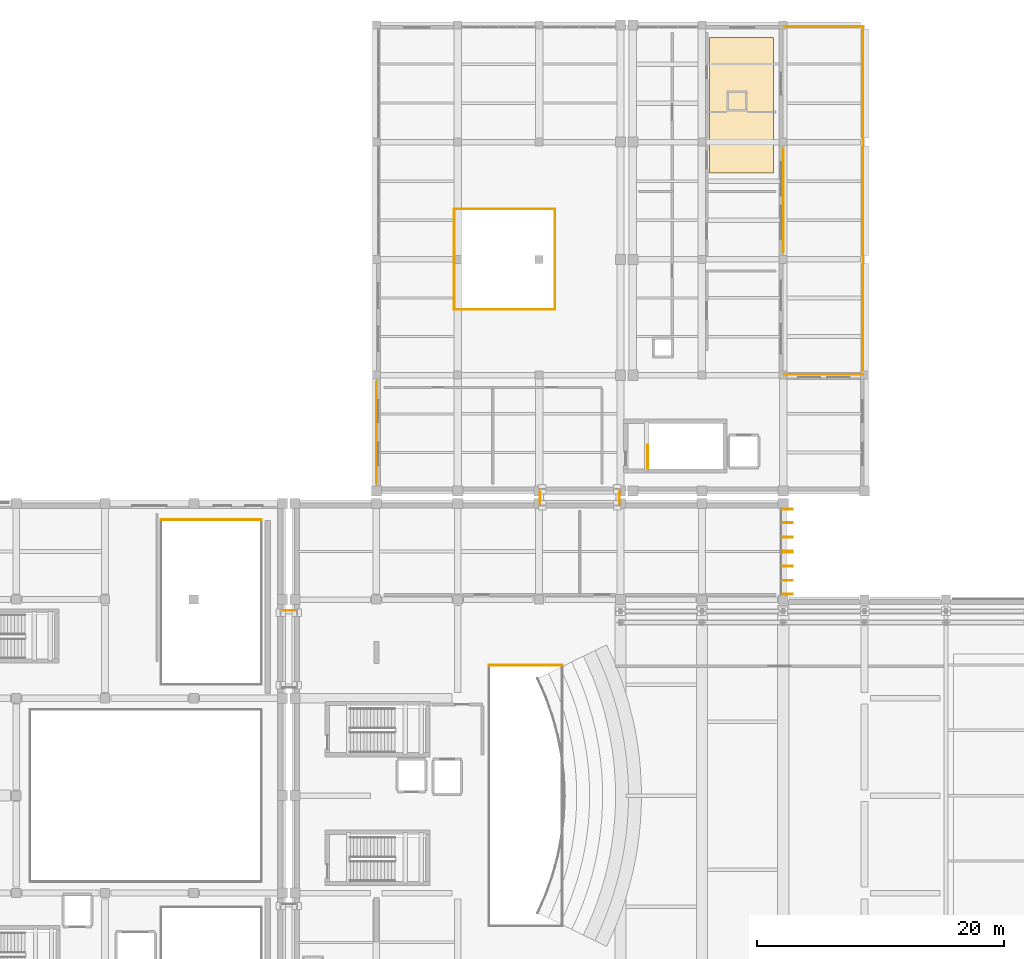
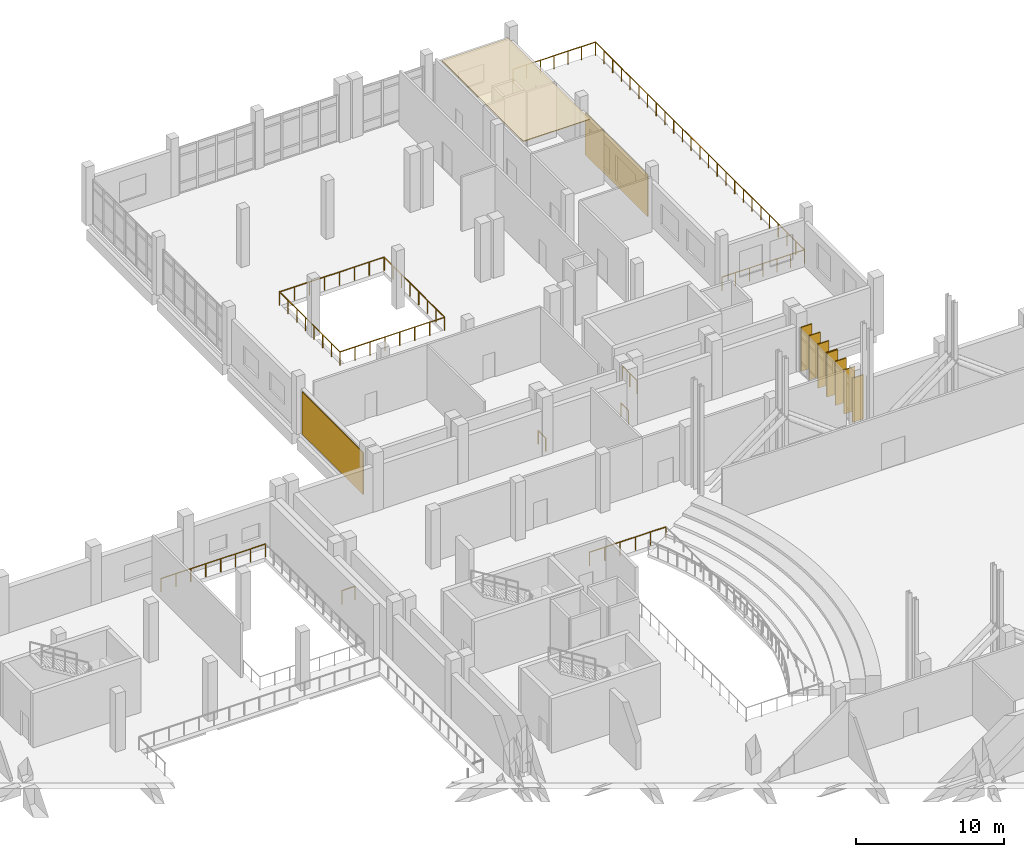
# One storey, part 72 of 73: 13 railings, 8 shading devices, 3 coverings.
"""IFC4 building model written with IfcOpenShell, lengths in metres."""

from ifc_helpers import new_model, si_unit, direction, frame, origin, origin_2d, place, context, subcontext, project, spatial, polyline, rectangle, circle, outline, extrude, material, layer, layer_set, type_object, element, save


model = new_model("IFC4")

# Units and contexts
model_context = context("Model", 3, precision=1e-05, world=origin(), true_north=direction((0.0, 1.0)))
body_context = subcontext(model_context, "Body", "Model", "MODEL_VIEW")
ifc_project = project(units=[si_unit("LENGTHUNIT", "METRE"), si_unit("AREAUNIT", "SQUARE_METRE"), si_unit("VOLUMEUNIT", "CUBIC_METRE"), si_unit("PLANEANGLEUNIT", "RADIAN"), si_unit("MASSUNIT", "GRAM", prefix="KILO")], contexts=[model_context])

# Site, building, storey
site_placement = place(None, origin())
site = spatial("IfcSite", under=ifc_project, at=site_placement, CompositionType="ELEMENT")
building_placement = place(site_placement, origin())
building = spatial("IfcBuilding", under=site, at=building_placement, Name="Kelarvand Opera House", CompositionType="ELEMENT")
storey_placement = place(building_placement, frame((0.0, 0.0, 10.199951171875)))
storey = spatial("IfcBuildingStorey", under=building, at=storey_placement, Name="L02", CompositionType="ELEMENT", Elevation=10.199951171875)

# Coverings
ifc_material_1 = material(Name="Azarshahr buff travertine stone panels", Category="masonry")
ifc_layer_1 = layer(ifc_material_1, 0.06005859375, Name="Azarshahr buff travertine stone panels", Category="masonry")
ifc_layer_set_1 = layer_set([ifc_layer_1], Name="Azarshahr buff travertine stone panels")
covering_type_1 = type_object("IfcCoveringType", Name="Azarshahr Honed Travertine Rainscreen Cladding 60mm", PredefinedType="CLADDING", material=ifc_layer_set_1)
covering_1_placement = place(storey_placement, frame((95.60400390625, 91.9423828125, 0.10009765625), z_axis=(0.0, 0.0, 1.0), x_axis=(0.0, 1.0, 0.0)))
element("IfcCovering", 1, at=covering_1_placement, inside=storey, type_object=covering_type_1, Name="V5 Travertine Facade Cladding 23", PredefinedType="CLADDING", context=body_context, shape_type="SweptSolid", body=[
    extrude(rectangle(XDim=8.264892578125, YDim=0.06005859375, at=origin_2d()), origin(), (0.0, 0.0, 1.0), 3.471923828125),
])
covering_2_placement = place(storey_placement, frame((128.595947265625, 110.75, 0.10009765625), z_axis=(0.0, 0.0, 1.0), x_axis=(0.0, -1.0, 0.0)))
element("IfcCovering", 2, at=covering_2_placement, inside=storey, type_object=covering_type_1, Name="V5 Travertine Facade Cladding 24", PredefinedType="CLADDING", context=body_context, shape_type="SweptSolid", body=[
    extrude(rectangle(XDim=8.449951171875, YDim=0.06005859375, at=origin_2d()), origin(), (0.0, 0.0, 1.0), 3.471923828125),
])

# Railings
ifc_material_2 = material(Name="Laminated safety glass with bronze cap rail", Category="glass")
railing_type_1 = type_object("IfcRailingType", Name="Laminated Glass and Bronze Foyer Balustrade 1120", PredefinedType="BALUSTRADE", material=ifc_material_2)
railing_1_placement = place(storey_placement, frame((128.64990234375, 96.64990234375, 0.0)))
element("IfcRailing", 3, at=railing_1_placement, inside=storey, type_object=railing_type_1, Name="V5 L02 Balustrade 10", PredefinedType="BALUSTRADE", context=body_context, shape_type="SweptSolid", body=[
    extrude(circle(Radius=0.02392578125, at=origin_2d()), frame((0.0, 0.0, 1.09619140625), z_axis=(1.0, 0.0, 0.0), x_axis=(0.0, 1.0, 0.0)), (0.0, 0.0, 1.0), 6.43017578125),
    extrude(circle(Radius=0.02099609375, at=origin_2d()), origin(), (0.0, 0.0, 1.0), 1.072021484375),
    extrude(circle(Radius=0.02099609375, at=origin_2d()), frame((1.07177734375, 0.0, 0.0)), (0.0, 0.0, 1.0), 1.072021484375),
    extrude(circle(Radius=0.02099609375, at=origin_2d()), frame((2.143310546875, 0.0, 0.0)), (0.0, 0.0, 1.0), 1.072021484375),
    extrude(circle(Radius=0.02099609375, at=origin_2d()), frame((3.215087890625, 0.0, 0.0)), (0.0, 0.0, 1.0), 1.072021484375),
    extrude(circle(Radius=0.02099609375, at=origin_2d()), frame((4.286865234375, 0.0, 0.0)), (0.0, 0.0, 1.0), 1.072021484375),
    extrude(circle(Radius=0.02099609375, at=origin_2d()), frame((5.3583984375, 0.0, 0.0)), (0.0, 0.0, 1.0), 1.072021484375),
    extrude(circle(Radius=0.02099609375, at=origin_2d()), frame((6.43017578125, 0.0, 0.0)), (0.0, 0.0, 1.0), 1.072021484375),
])
railing_2_placement = place(storey_placement, frame((135.080078125, 96.64990234375, 0.0)))
element("IfcRailing", 4, at=railing_2_placement, inside=storey, type_object=railing_type_1, Name="V5 L02 Balustrade 11", PredefinedType="BALUSTRADE", context=body_context, shape_type="SweptSolid", body=[
    extrude(circle(Radius=0.02392578125, at=origin_2d()), frame((0.0, 0.0, 1.09619140625), z_axis=(0.0, 1.0, 0.0), x_axis=(-1.0, 0.0, 0.0)), (0.0, 0.0, 1.0), 28.22998046875),
    extrude(circle(Radius=0.02099609375, at=origin_2d()), origin(), (0.0, 0.0, 1.0), 1.072021484375),
    extrude(circle(Radius=0.02099609375, at=origin_2d()), frame((0.0, 1.17626953125, 0.0)), (0.0, 0.0, 1.0), 1.072021484375),
    extrude(circle(Radius=0.02099609375, at=origin_2d()), frame((0.0, 2.3525390625, 0.0)), (0.0, 0.0, 1.0), 1.072021484375),
    extrude(circle(Radius=0.02099609375, at=origin_2d()), frame((0.0, 3.52880859375, 0.0)), (0.0, 0.0, 1.0), 1.072021484375),
    extrude(circle(Radius=0.02099609375, at=origin_2d()), frame((0.0, 4.705078125, 0.0)), (0.0, 0.0, 1.0), 1.072021484375),
    extrude(circle(Radius=0.02099609375, at=origin_2d()), frame((0.0, 5.88134765625, 0.0)), (0.0, 0.0, 1.0), 1.072021484375),
    extrude(circle(Radius=0.02099609375, at=origin_2d()), frame((0.0, 7.0576171875, 0.0)), (0.0, 0.0, 1.0), 1.072021484375),
    extrude(circle(Radius=0.02099609375, at=origin_2d()), frame((0.0, 8.233642578125, 0.0)), (0.0, 0.0, 1.0), 1.072021484375),
    extrude(circle(Radius=0.02099609375, at=origin_2d()), frame((0.0, 9.409912109375, 0.0)), (0.0, 0.0, 1.0), 1.072021484375),
    extrude(circle(Radius=0.02099609375, at=origin_2d()), frame((0.0, 10.586181640625, 0.0)), (0.0, 0.0, 1.0), 1.072021484375),
    extrude(circle(Radius=0.02099609375, at=origin_2d()), frame((0.0, 11.762451171875, 0.0)), (0.0, 0.0, 1.0), 1.072021484375),
    extrude(circle(Radius=0.02099609375, at=origin_2d()), frame((0.0, 12.938720703125, 0.0)), (0.0, 0.0, 1.0), 1.072021484375),
    extrude(circle(Radius=0.02099609375, at=origin_2d()), frame((0.0, 14.114990234375, 0.0)), (0.0, 0.0, 1.0), 1.072021484375),
    extrude(circle(Radius=0.02099609375, at=origin_2d()), frame((0.0, 15.291259765625, 0.0)), (0.0, 0.0, 1.0), 1.072021484375),
    extrude(circle(Radius=0.02099609375, at=origin_2d()), frame((0.0, 16.467529296875, 0.0)), (0.0, 0.0, 1.0), 1.072021484375),
    extrude(circle(Radius=0.02099609375, at=origin_2d()), frame((0.0, 17.643798828125, 0.0)), (0.0, 0.0, 1.0), 1.072021484375),
    extrude(circle(Radius=0.02099609375, at=origin_2d()), frame((0.0, 18.820068359375, 0.0)), (0.0, 0.0, 1.0), 1.072021484375),
    extrude(circle(Radius=0.02099609375, at=origin_2d()), frame((0.0, 19.996337890625, 0.0)), (0.0, 0.0, 1.0), 1.072021484375),
    extrude(circle(Radius=0.02099609375, at=origin_2d()), frame((0.0, 21.17236328125, 0.0)), (0.0, 0.0, 1.0), 1.072021484375),
    extrude(circle(Radius=0.02099609375, at=origin_2d()), frame((0.0, 22.3486328125, 0.0)), (0.0, 0.0, 1.0), 1.072021484375),
    extrude(circle(Radius=0.02099609375, at=origin_2d()), frame((0.0, 23.52490234375, 0.0)), (0.0, 0.0, 1.0), 1.072021484375),
    extrude(circle(Radius=0.02099609375, at=origin_2d()), frame((0.0, 24.701171875, 0.0)), (0.0, 0.0, 1.0), 1.072021484375),
    extrude(circle(Radius=0.02099609375, at=origin_2d()), frame((0.0, 25.87744140625, 0.0)), (0.0, 0.0, 1.0), 1.072021484375),
    extrude(circle(Radius=0.02099609375, at=origin_2d()), frame((0.0, 27.0537109375, 0.0)), (0.0, 0.0, 1.0), 1.072021484375),
    extrude(circle(Radius=0.02099609375, at=origin_2d()), frame((0.0, 28.22998046875, 0.0)), (0.0, 0.0, 1.0), 1.072021484375),
])
railing_3_placement = place(storey_placement, frame((135.080078125, 124.8798828125, 0.0)))
element("IfcRailing", 5, at=railing_3_placement, inside=storey, type_object=railing_type_1, Name="V5 L02 Balustrade 12", PredefinedType="BALUSTRADE", context=body_context, shape_type="SweptSolid", body=[
    extrude(circle(Radius=0.02392578125, at=origin_2d()), frame((0.0, 0.0, 1.09619140625), z_axis=(-1.0, 0.0, 0.0), x_axis=(0.0, -1.0, 0.0)), (0.0, 0.0, 1.0), 6.43017578125),
    extrude(circle(Radius=0.02099609375, at=origin_2d()), origin(), (0.0, 0.0, 1.0), 1.072021484375),
    extrude(circle(Radius=0.02099609375, at=origin_2d()), frame((-1.07177734375, 0.0, 0.0)), (0.0, 0.0, 1.0), 1.072021484375),
    extrude(circle(Radius=0.02099609375, at=origin_2d()), frame((-2.143310546875, 0.0, 0.0)), (0.0, 0.0, 1.0), 1.072021484375),
    extrude(circle(Radius=0.02099609375, at=origin_2d()), frame((-3.215087890625, 0.0, 0.0)), (0.0, 0.0, 1.0), 1.072021484375),
    extrude(circle(Radius=0.02099609375, at=origin_2d()), frame((-4.286865234375, 0.0, 0.0)), (0.0, 0.0, 1.0), 1.072021484375),
    extrude(circle(Radius=0.02099609375, at=origin_2d()), frame((-5.3583984375, 0.0, 0.0)), (0.0, 0.0, 1.0), 1.072021484375),
    extrude(circle(Radius=0.02099609375, at=origin_2d()), frame((-6.43017578125, 0.0, 0.0)), (0.0, 0.0, 1.0), 1.072021484375),
])
railing_4_placement = place(storey_placement, frame((104.719970703125, 73.080078125, 0.0)))
element("IfcRailing", 6, at=railing_4_placement, inside=storey, type_object=railing_type_1, Name="V1 L02 Balustrade 56", PredefinedType="BALUSTRADE", context=body_context, shape_type="SweptSolid", body=[
    extrude(circle(Radius=0.02392578125, at=origin_2d()), frame((0.0, 0.0, 1.09619140625), z_axis=(1.0, 0.0, 0.0), x_axis=(0.0, 1.0, 0.0)), (0.0, 0.0, 1.0), 5.9599609375),
    extrude(circle(Radius=0.02099609375, at=origin_2d()), origin(), (0.0, 0.0, 1.0), 1.072021484375),
    extrude(circle(Radius=0.02099609375, at=origin_2d()), frame((1.19189453125, 0.0, 0.0)), (0.0, 0.0, 1.0), 1.072021484375),
    extrude(circle(Radius=0.02099609375, at=origin_2d()), frame((2.384033203125, 0.0, 0.0)), (0.0, 0.0, 1.0), 1.072021484375),
    extrude(circle(Radius=0.02099609375, at=origin_2d()), frame((3.575927734375, 0.0, 0.0)), (0.0, 0.0, 1.0), 1.072021484375),
    extrude(circle(Radius=0.02099609375, at=origin_2d()), frame((4.76806640625, 0.0, 0.0)), (0.0, 0.0, 1.0), 1.072021484375),
    extrude(circle(Radius=0.02099609375, at=origin_2d()), frame((5.9599609375, 0.0, 0.0)), (0.0, 0.0, 1.0), 1.072021484375),
])
railing_5_placement = place(storey_placement, frame((110.080078125, 110.080078125, 0.0)))
element("IfcRailing", 7, at=railing_5_placement, inside=storey, type_object=railing_type_1, Name="V5 L02 Balustrade 73", PredefinedType="BALUSTRADE", context=body_context, shape_type="SweptSolid", body=[
    extrude(circle(Radius=0.02392578125, at=origin_2d()), frame((0.0, 0.0, 1.09619140625), z_axis=(0.0, -1.0, 0.0), x_axis=(1.0, 0.0, 0.0)), (0.0, 0.0, 1.0), 8.16015625),
    extrude(circle(Radius=0.02099609375, at=origin_2d()), origin(), (0.0, 0.0, 1.0), 1.072021484375),
    extrude(circle(Radius=0.02099609375, at=origin_2d()), frame((0.0, -1.165771484375, 0.0)), (0.0, 0.0, 1.0), 1.072021484375),
    extrude(circle(Radius=0.02099609375, at=origin_2d()), frame((0.0, -2.33154296875, 0.0)), (0.0, 0.0, 1.0), 1.072021484375),
    extrude(circle(Radius=0.02099609375, at=origin_2d()), frame((0.0, -3.497314453125, 0.0)), (0.0, 0.0, 1.0), 1.072021484375),
    extrude(circle(Radius=0.02099609375, at=origin_2d()), frame((0.0, -4.662841796875, 0.0)), (0.0, 0.0, 1.0), 1.072021484375),
    extrude(circle(Radius=0.02099609375, at=origin_2d()), frame((0.0, -5.82861328125, 0.0)), (0.0, 0.0, 1.0), 1.072021484375),
    extrude(circle(Radius=0.02099609375, at=origin_2d()), frame((0.0, -6.994384765625, 0.0)), (0.0, 0.0, 1.0), 1.072021484375),
    extrude(circle(Radius=0.02099609375, at=origin_2d()), frame((0.0, -8.16015625, 0.0)), (0.0, 0.0, 1.0), 1.072021484375),
])
railing_6_placement = place(storey_placement, frame((110.080078125, 101.919921875, 0.0)))
element("IfcRailing", 8, at=railing_6_placement, inside=storey, type_object=railing_type_1, Name="V5 L02 Balustrade 74", PredefinedType="BALUSTRADE", context=body_context, shape_type="SweptSolid", body=[
    extrude(circle(Radius=0.02392578125, at=origin_2d()), frame((0.0, 0.0, 1.09619140625), z_axis=(-1.0, 0.0, 0.0), x_axis=(0.0, -1.0, 0.0)), (0.0, 0.0, 1.0), 8.16015625),
    extrude(circle(Radius=0.02099609375, at=origin_2d()), origin(), (0.0, 0.0, 1.0), 1.072021484375),
    extrude(circle(Radius=0.02099609375, at=origin_2d()), frame((-1.165771484375, 0.0, 0.0)), (0.0, 0.0, 1.0), 1.072021484375),
    extrude(circle(Radius=0.02099609375, at=origin_2d()), frame((-2.33154296875, 0.0, 0.0)), (0.0, 0.0, 1.0), 1.072021484375),
    extrude(circle(Radius=0.02099609375, at=origin_2d()), frame((-3.497314453125, 0.0, 0.0)), (0.0, 0.0, 1.0), 1.072021484375),
    extrude(circle(Radius=0.02099609375, at=origin_2d()), frame((-4.662841796875, 0.0, 0.0)), (0.0, 0.0, 1.0), 1.072021484375),
    extrude(circle(Radius=0.02099609375, at=origin_2d()), frame((-5.82861328125, 0.0, 0.0)), (0.0, 0.0, 1.0), 1.072021484375),
    extrude(circle(Radius=0.02099609375, at=origin_2d()), frame((-6.994384765625, 0.0, 0.0)), (0.0, 0.0, 1.0), 1.072021484375),
    extrude(circle(Radius=0.02099609375, at=origin_2d()), frame((-8.16015625, 0.0, 0.0)), (0.0, 0.0, 1.0), 1.072021484375),
])
railing_7_placement = place(storey_placement, frame((101.919921875, 101.919921875, 0.0)))
element("IfcRailing", 9, at=railing_7_placement, inside=storey, type_object=railing_type_1, Name="V5 L02 Balustrade 75", PredefinedType="BALUSTRADE", context=body_context, shape_type="SweptSolid", body=[
    extrude(circle(Radius=0.02392578125, at=origin_2d()), frame((0.0, 0.0, 1.09619140625), z_axis=(0.0, 1.0, 0.0), x_axis=(-1.0, 0.0, 0.0)), (0.0, 0.0, 1.0), 8.16015625),
    extrude(circle(Radius=0.02099609375, at=origin_2d()), origin(), (0.0, 0.0, 1.0), 1.072021484375),
    extrude(circle(Radius=0.02099609375, at=origin_2d()), frame((0.0, 1.165771484375, 0.0)), (0.0, 0.0, 1.0), 1.072021484375),
    extrude(circle(Radius=0.02099609375, at=origin_2d()), frame((0.0, 2.33154296875, 0.0)), (0.0, 0.0, 1.0), 1.072021484375),
    extrude(circle(Radius=0.02099609375, at=origin_2d()), frame((0.0, 3.497314453125, 0.0)), (0.0, 0.0, 1.0), 1.072021484375),
    extrude(circle(Radius=0.02099609375, at=origin_2d()), frame((0.0, 4.662841796875, 0.0)), (0.0, 0.0, 1.0), 1.072021484375),
    extrude(circle(Radius=0.02099609375, at=origin_2d()), frame((0.0, 5.82861328125, 0.0)), (0.0, 0.0, 1.0), 1.072021484375),
    extrude(circle(Radius=0.02099609375, at=origin_2d()), frame((0.0, 6.994384765625, 0.0)), (0.0, 0.0, 1.0), 1.072021484375),
    extrude(circle(Radius=0.02099609375, at=origin_2d()), frame((0.0, 8.16015625, 0.0)), (0.0, 0.0, 1.0), 1.072021484375),
])
railing_8_placement = place(storey_placement, frame((101.919921875, 110.080078125, 0.0)))
element("IfcRailing", 10, at=railing_8_placement, inside=storey, type_object=railing_type_1, Name="V5 L02 Balustrade 76", PredefinedType="BALUSTRADE", context=body_context, shape_type="SweptSolid", body=[
    extrude(circle(Radius=0.02392578125, at=origin_2d()), frame((0.0, 0.0, 1.09619140625), z_axis=(1.0, 0.0, 0.0), x_axis=(0.0, 1.0, 0.0)), (0.0, 0.0, 1.0), 8.16015625),
    extrude(circle(Radius=0.02099609375, at=origin_2d()), origin(), (0.0, 0.0, 1.0), 1.072021484375),
    extrude(circle(Radius=0.02099609375, at=origin_2d()), frame((1.165771484375, 0.0, 0.0)), (0.0, 0.0, 1.0), 1.072021484375),
    extrude(circle(Radius=0.02099609375, at=origin_2d()), frame((2.33154296875, 0.0, 0.0)), (0.0, 0.0, 1.0), 1.072021484375),
    extrude(circle(Radius=0.02099609375, at=origin_2d()), frame((3.497314453125, 0.0, 0.0)), (0.0, 0.0, 1.0), 1.072021484375),
    extrude(circle(Radius=0.02099609375, at=origin_2d()), frame((4.662841796875, 0.0, 0.0)), (0.0, 0.0, 1.0), 1.072021484375),
    extrude(circle(Radius=0.02099609375, at=origin_2d()), frame((5.82861328125, 0.0, 0.0)), (0.0, 0.0, 1.0), 1.072021484375),
    extrude(circle(Radius=0.02099609375, at=origin_2d()), frame((6.994384765625, 0.0, 0.0)), (0.0, 0.0, 1.0), 1.072021484375),
    extrude(circle(Radius=0.02099609375, at=origin_2d()), frame((8.16015625, 0.0, 0.0)), (0.0, 0.0, 1.0), 1.072021484375),
])
railing_9_placement = place(storey_placement, frame((88.0, 77.52001953125, 0.0)))
element("IfcRailing", 11, at=railing_9_placement, inside=storey, type_object=railing_type_1, Name="V1 L02 Balustrade 140", PredefinedType="BALUSTRADE", context=body_context, shape_type="SweptSolid", body=[
    extrude(circle(Radius=0.02392578125, at=origin_2d()), frame((0.0, 0.0, 1.09619140625), z_axis=(1.0, 0.0, 0.0), x_axis=(0.0, 1.0, 0.0)), (0.0, 0.0, 1.0), 1.0),
    extrude(circle(Radius=0.02099609375, at=origin_2d()), origin(), (0.0, 0.0, 1.0), 1.072021484375),
    extrude(circle(Radius=0.02099609375, at=origin_2d()), frame((1.0, 0.0, 0.0)), (0.0, 0.0, 1.0), 1.072021484375),
])
for number, where, name in (
    (12, (108.8798828125, 86.199951171875, 0.0), "V1 L02 Balustrade 175"),
    (13, (115.320068359375, 86.199951171875, 0.0), "V1 L02 Balustrade 176"),
):
    element("IfcRailing", number, at=place(storey_placement, frame(where)), inside=storey, type_object=railing_type_1, Name=name, PredefinedType="BALUSTRADE", context=body_context, shape_type="SweptSolid", body=[
        extrude(circle(Radius=0.02392578125, at=origin_2d()), frame((0.0, 0.0, 1.09619140625), z_axis=(0.0, 1.0, 0.0), x_axis=(-1.0, 0.0, 0.0)), (0.0, 0.0, 1.0), 1.0),
        extrude(circle(Radius=0.02099609375, at=origin_2d()), origin(), (0.0, 0.0, 1.0), 1.072021484375),
        extrude(circle(Radius=0.02099609375, at=origin_2d()), frame((0.0, 1.0, 0.0)), (0.0, 0.0, 1.0), 1.072021484375),
    ])
ifc_material_3 = material(Name="Powder-coated Steel S355", Category="steel")
railing_type_2 = type_object("IfcRailingType", Name="Painted Steel Stair and Void Guardrail 1100", PredefinedType="GUARDRAIL", material=ifc_material_3)
railing_10_placement = place(storey_placement, frame((117.610107421875, 89.0, 0.0)))
element("IfcRailing", 14, at=railing_10_placement, inside=storey, type_object=railing_type_2, Name="L02 ST-07 top well guard 1", PredefinedType="GUARDRAIL", context=body_context, shape_type="SweptSolid", body=[
    extrude(circle(Radius=0.02392578125, at=origin_2d()), frame((0.0, 0.0, 1.076171875), z_axis=(0.0, 1.0, 0.0), x_axis=(-1.0, 0.0, 0.0)), (0.0, 0.0, 1.0), 1.93994140625),
    extrude(circle(Radius=0.02099609375, at=origin_2d()), origin(), (0.0, 0.0, 1.0), 1.052001953125),
    extrude(circle(Radius=0.02099609375, at=origin_2d()), frame((0.0, 0.969970703125, 0.0)), (0.0, 0.0, 1.0), 1.052001953125),
    extrude(circle(Radius=0.02099609375, at=origin_2d()), frame((0.0, 1.93994140625, 0.0)), (0.0, 0.0, 1.0), 1.052001953125),
])
railing_11_placement = place(storey_placement, frame((78.1201171875, 84.8798828125, 0.0)))
element("IfcRailing", 15, at=railing_11_placement, inside=storey, type_object=railing_type_2, Name="V2 L02 Guardrail 68", PredefinedType="GUARDRAIL", context=body_context, shape_type="SweptSolid", body=[
    extrude(circle(Radius=0.02392578125, at=origin_2d()), frame((0.0, 0.0, 1.076171875), z_axis=(1.0, 0.0, 0.0), x_axis=(0.0, 1.0, 0.0)), (0.0, 0.0, 1.0), 8.159912109375),
    extrude(circle(Radius=0.02099609375, at=origin_2d()), origin(), (0.0, 0.0, 1.0), 1.052001953125),
    extrude(circle(Radius=0.02099609375, at=origin_2d()), frame((1.165771484375, 0.0, 0.0)), (0.0, 0.0, 1.0), 1.052001953125),
    extrude(circle(Radius=0.02099609375, at=origin_2d()), frame((2.331298828125, 0.0, 0.0)), (0.0, 0.0, 1.0), 1.052001953125),
    extrude(circle(Radius=0.02099609375, at=origin_2d()), frame((3.4970703125, 0.0, 0.0)), (0.0, 0.0, 1.0), 1.052001953125),
    extrude(circle(Radius=0.02099609375, at=origin_2d()), frame((4.662841796875, 0.0, 0.0)), (0.0, 0.0, 1.0), 1.052001953125),
    extrude(circle(Radius=0.02099609375, at=origin_2d()), frame((5.82861328125, 0.0, 0.0)), (0.0, 0.0, 1.0), 1.052001953125),
    extrude(circle(Radius=0.02099609375, at=origin_2d()), frame((6.994140625, 0.0, 0.0)), (0.0, 0.0, 1.0), 1.052001953125),
    extrude(circle(Radius=0.02099609375, at=origin_2d()), frame((8.159912109375, 0.0, 0.0)), (0.0, 0.0, 1.0), 1.052001953125),
])

# Covering
ifc_material_4 = material(Name="Perforated walnut acoustic slats on steel sub-frame", Category="steel")
ifc_layer_2 = layer(ifc_material_4, 0.06005859375, Name="Perforated walnut acoustic slats on steel sub-frame", Category="steel")
ifc_layer_set_2 = layer_set([ifc_layer_2], Name="Perforated walnut acoustic slats on steel sub-frame")
covering_type_2 = type_object("IfcCoveringType", Name="Sculpted Timber Acoustic Soffit and Hall Ceiling 60mm", PredefinedType="CEILING", material=ifc_layer_set_2)
covering_3_placement = place(storey_placement, frame((0.0, 0.0, 4.43994140625)))
element("IfcCovering", 16, at=covering_3_placement, inside=storey, type_object=covering_type_2, Name="V5 L02 Acoustic Walnut Ceiling 9", PredefinedType="CEILING", context=body_context, shape_type="SweptSolid", body=[
    extrude(outline(polyline([(122.60009765625, 113.0), (127.800048828125, 113.0), (127.800048828125, 124.0), (122.60009765625, 124.0), (122.60009765625, 113.0)])), origin(), (0.0, 0.0, 1.0), 0.06005859375),
])

# Shading devices
ifc_material_5 = material(Name="Bronze-framed Azarshahr travertine fin", Category="masonry")
ifc_layer_3 = layer(ifc_material_5, 0.080078125, Name="Bronze-framed Azarshahr travertine fin", Category="masonry")
ifc_layer_set_3 = layer_set([ifc_layer_3], Name="Bronze-framed Azarshahr travertine fin")
shading_device_type = type_object("IfcShadingDeviceType", Name="Vertical Travertine-Bronze Solar Fin 850x80", PredefinedType="USERDEFINED", material=ifc_layer_set_3)
for number, where, z_axis, x_axis, name in (
    (17, (128.93994140625, 85.742431640625, 0.0), (0.0, 0.0, 1.0), (1.0, 0.0, 0.0), "V1 Solar Fin 49"),
    (18, (128.93994140625, 84.615478515625, 0.0), (0.0, 0.0, 1.0), (1.0, 0.0, 0.0), "V1 Solar Fin 50"),
    (19, (128.93994140625, 83.450927734375, 0.0), (0.0, 0.0, 1.0), (1.0, 0.0, 0.0), "V1 Solar Fin 51"),
    (20, (128.93994140625, 82.323974609375, 0.0), (0.0, 0.0, 1.0), (1.0, 0.0, 0.0), "V1 Solar Fin 52"),
    (21, (128.93994140625, 82.2451171875, 0.0), (0.0, 0.0, 1.0), (1.0, 0.0, 0.0), "V1 Solar Fin 53"),
    (22, (128.93994140625, 81.11669921875, 0.0), (0.0, 0.0, 1.0), (1.0, 0.0, 0.0), "V1 Solar Fin 54"),
    (23, (128.93994140625, 79.95068359375, 0.0), (0.0, 0.0, 1.0), (1.0, 0.0, 0.0), "V1 Solar Fin 55"),
    (24, (128.93994140625, 78.822509765625, 0.0), (0.0, 0.0, 1.0), (1.0, 0.0, 0.0), "V1 Solar Fin 56"),
):
    element("IfcShadingDevice", number, at=place(storey_placement, frame(where, z_axis=z_axis, x_axis=x_axis)), inside=storey, type_object=shading_device_type, Name=name, ObjectType="FIN", PredefinedType="USERDEFINED", context=body_context, shape_type="SweptSolid", body=[
        extrude(rectangle(XDim=0.85009765625, YDim=0.080078125, at=origin_2d()), origin(), (0.0, 0.0, 1.0), 3.6298828125),
    ])

save(model, "model.ifc")
